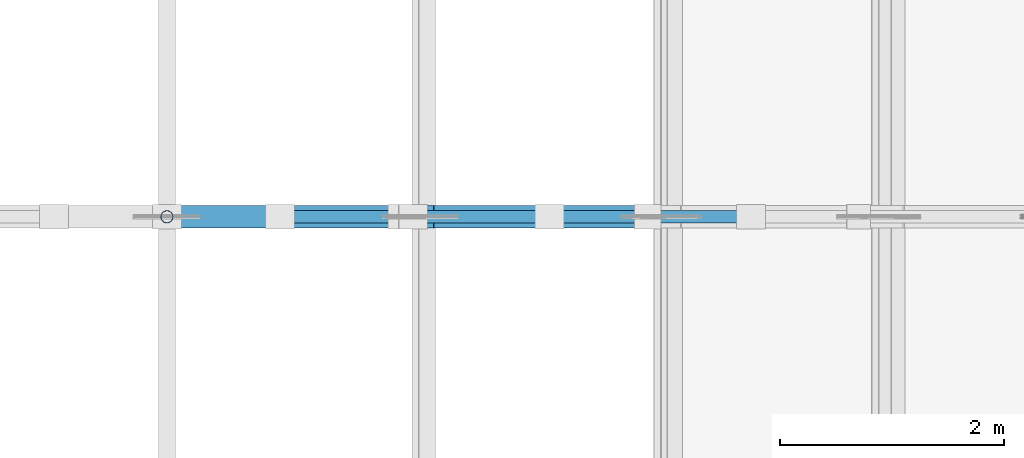
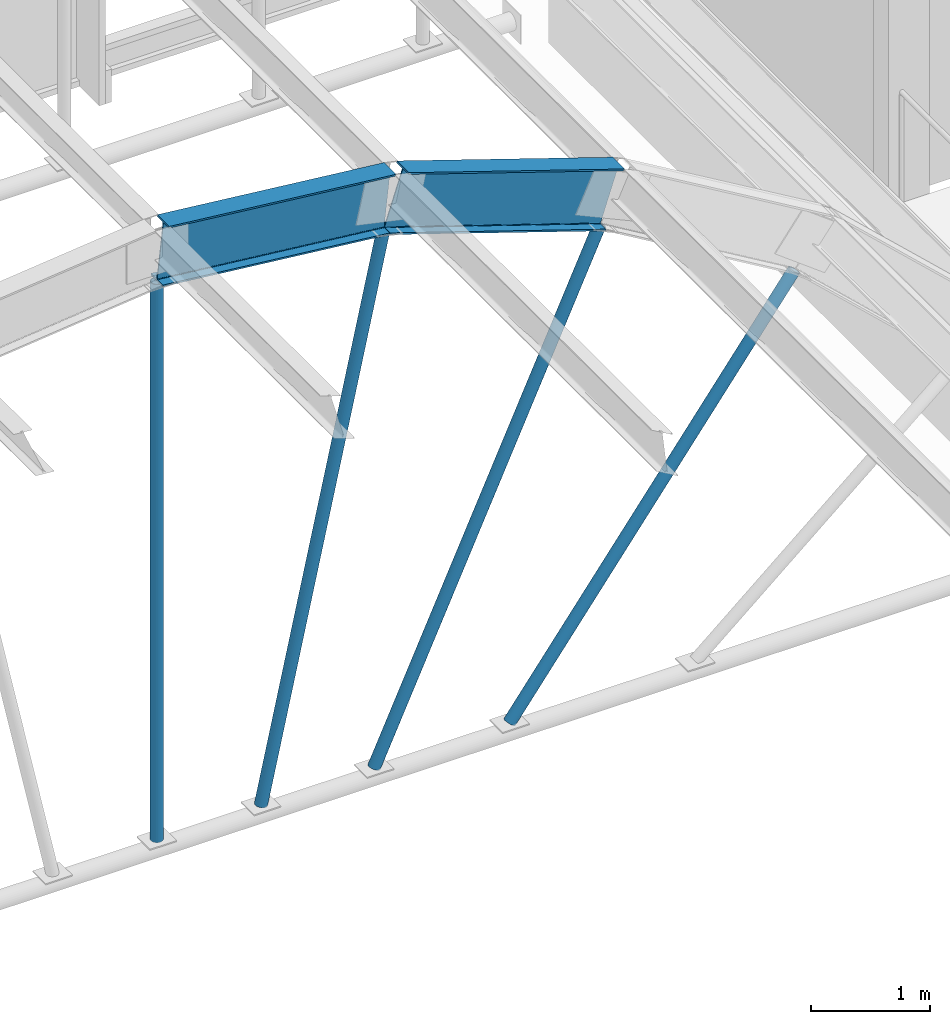
# One storey, part 26 of 79: 4 members, 2 beams.
"""IFC4 building model written with IfcOpenShell, lengths in metres."""

from ifc_helpers import new_model, si_unit, direction, frame, origin, origin_2d, place, context, subcontext, project, spatial, hollow_circle, i_section, extrude, material, material_profile, profile_set, type_object, element, save


model = new_model("IFC4")

# Units and contexts
model_context = context("Model", 3, precision=1e-05, world=origin(), true_north=direction((0.0, 1.0)))
body_context = subcontext(model_context, "Body", "Model", "MODEL_VIEW")
ifc_project = project(units=[si_unit("LENGTHUNIT", "METRE"), si_unit("AREAUNIT", "SQUARE_METRE"), si_unit("VOLUMEUNIT", "CUBIC_METRE"), si_unit("PLANEANGLEUNIT", "RADIAN"), si_unit("MASSUNIT", "GRAM", prefix="KILO")], contexts=[model_context])

# Site, building, storey
site_placement = place(None, origin())
site = spatial("IfcSite", under=ifc_project, at=site_placement, CompositionType="ELEMENT")
building_placement = place(site_placement, origin())
building = spatial("IfcBuilding", under=site, at=building_placement, Name="Guidao Yard Department Store", CompositionType="ELEMENT")
storey_placement = place(building_placement, frame((0.0, 0.0, 15.0)))
storey = spatial("IfcBuildingStorey", under=building, at=storey_placement, Name="L03", CompositionType="ELEMENT", Elevation=15.0)

# Members
ifc_material_1 = material(Name="Steel Q355B", Category="steel")
ifc_material_profile_1 = material_profile(ifc_material_1, hollow_circle(Radius=0.056884765625, WallThickness=0.006103515625, at=origin_2d()), Name="CHS 114x6")
ifc_profile_set_1 = profile_set([ifc_material_profile_1], Name="Steel Q355B")
member_type = type_object("IfcMemberType", Name="CHS 114x6", PredefinedType="BRACE", material=ifc_profile_set_1)
member_1_placement = place(storey_placement, frame((90.0, 99.0, -0.360107421875), z_axis=(0.0, 0.0, 1.0), x_axis=(1.0, 0.0, 0.0)))
element("IfcMember", 1, at=member_1_placement, inside=storey, type_object=member_type, Name="Roof web strut C07-05", PredefinedType="BRACE", context=body_context, shape_type="SweptSolid", body=[
    extrude(hollow_circle(Radius=0.056884765625, WallThickness=0.006103515625, at=origin_2d()), origin(), (0.0, 0.0, 1.0), 5.72705078125),
])
member_2_placement = place(storey_placement, frame((91.01123046875, 99.0, -0.360107421875), z_axis=(0.211899287995, 0.0, 0.977291508071), x_axis=(0.0, 1.0, 0.0)))
element("IfcMember", 2, at=member_2_placement, inside=storey, type_object=member_type, Name="Roof web strut C07-06", PredefinedType="BRACE", context=body_context, shape_type="SweptSolid", body=[
    extrude(hollow_circle(Radius=0.056884765625, WallThickness=0.006103515625, at=origin_2d()), origin(), (0.0, 0.0, 1.0), 5.619140625),
])
member_3_placement = place(storey_placement, frame((92.109130859375, 99.0, -0.360107421875), z_axis=(0.415142377249, 0.0, 0.909756454559), x_axis=(0.0, 1.0, 0.0)))
element("IfcMember", 3, at=member_3_placement, inside=storey, type_object=member_type, Name="Roof web strut C07-07", PredefinedType="BRACE", context=body_context, shape_type="SweptSolid", body=[
    extrude(hollow_circle(Radius=0.056884765625, WallThickness=0.006103515625, at=origin_2d()), origin(), (0.0, 0.0, 1.0), 5.271728515625),
])
member_4_placement = place(storey_placement, frame((93.424072265625, 99.0, -0.360107421875), z_axis=(0.600934318152, 0.0, 0.799298408147), x_axis=(0.0, 1.0, 0.0)))
element("IfcMember", 4, at=member_4_placement, inside=storey, type_object=member_type, Name="Roof web strut C07-08", PredefinedType="BRACE", context=body_context, shape_type="SweptSolid", body=[
    extrude(hollow_circle(Radius=0.056884765625, WallThickness=0.006103515625, at=origin_2d()), origin(), (0.0, 0.0, 1.0), 4.596923828125),
])

# Beams
ifc_material_2 = material(Name="Steel Q355B", Category="steel")
ifc_material_profile_2 = material_profile(ifc_material_2, i_section(OverallWidth=0.199951171875, OverallDepth=0.60009765625, WebThickness=0.010986328125, FlangeThickness=0.01708984375, FilletRadius=0.012939453125, at=origin_2d()), Name="HN 600x200x11x17")
ifc_profile_set_2 = profile_set([ifc_material_profile_2], Name="Steel Q355B")
beam_type = type_object("IfcBeamType", Name="HN 600x200x11x17", PredefinedType="BEAM", material=ifc_profile_set_2)
beam_1_placement = place(storey_placement, frame((90.031982421875, 99.0, 5.665283203125), z_axis=(0.994311656362, 0.0, -0.10650976492), x_axis=(0.0, 1.0, 0.0)))
element("IfcBeam", 5, at=beam_1_placement, inside=storey, type_object=beam_type, Name="Roof rib C07-06", PredefinedType="BEAM", context=body_context, shape_type="SweptSolid", body=[
    extrude(i_section(OverallWidth=0.199951171875, OverallDepth=0.60009765625, WebThickness=0.010986328125, FlangeThickness=0.01708984375, FilletRadius=0.012939453125, at=origin_2d()), origin(), (0.0, 0.0, 1.0), 2.21435546875),
])
beam_2_placement = place(storey_placement, frame((92.29638671875, 99.0, 5.416015625), z_axis=(0.949091595418, 0.0, -0.31500022779), x_axis=(0.0, 1.0, 0.0)))
element("IfcBeam", 6, at=beam_2_placement, inside=storey, type_object=beam_type, Name="Roof rib C07-07", PredefinedType="BEAM", context=body_context, shape_type="SweptSolid", body=[
    extrude(i_section(OverallWidth=0.199951171875, OverallDepth=0.60009765625, WebThickness=0.010986328125, FlangeThickness=0.01708984375, FilletRadius=0.012939453125, at=origin_2d()), origin(), (0.0, 0.0, 1.0), 2.2080078125),
])

save(model, "model.ifc")
